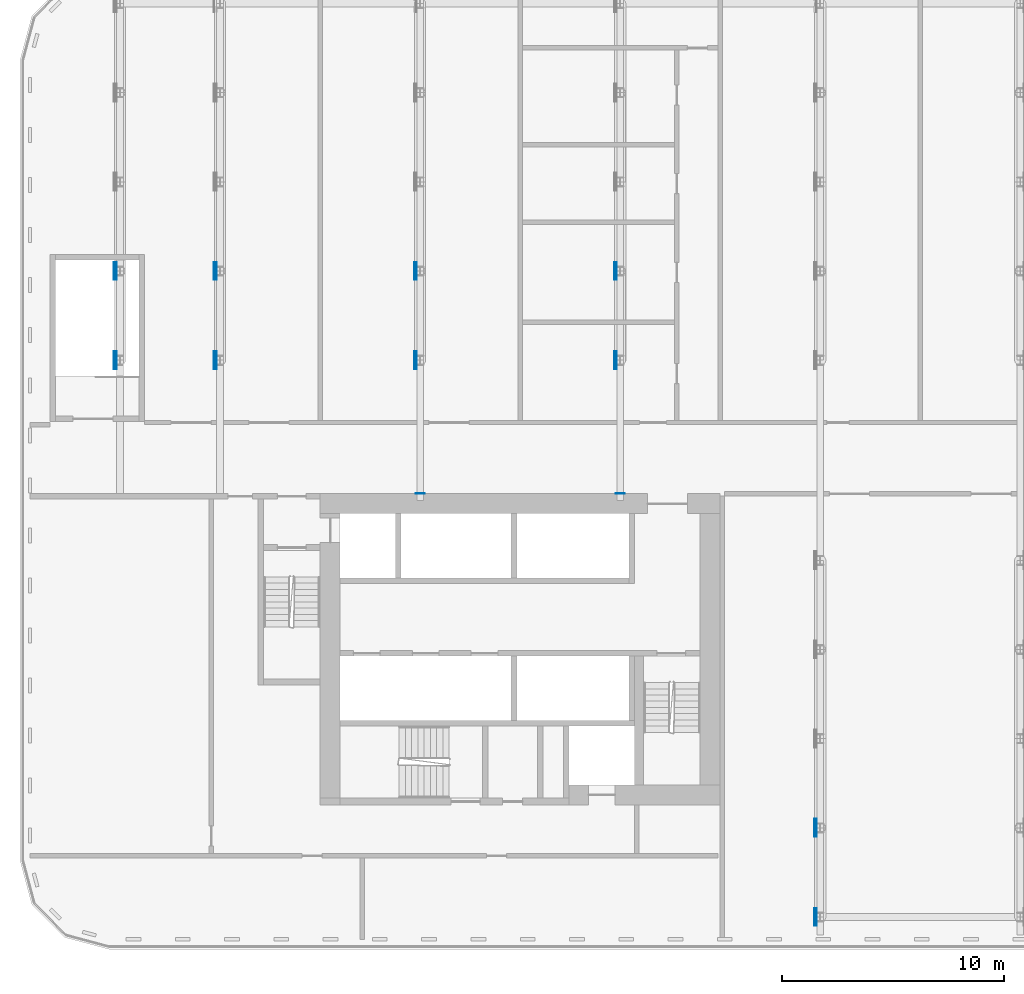
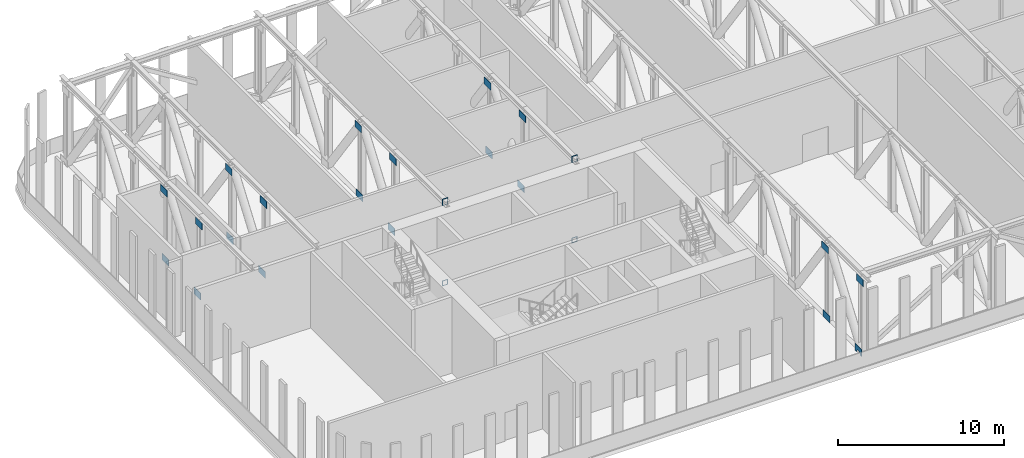
# One storey, part 10 of 26: 24 discrete accessories.
"""IFC4 building model written with IfcOpenShell, lengths in metres."""

from ifc_helpers import new_model, si_unit, direction, frame, origin, place, context, subcontext, project, spatial, polyline, outline, extrude, material, layer, layer_set, type_object, element, save


model = new_model("IFC4")

# Units and contexts
model_context = context("Model", 3, precision=1e-05, world=origin(), true_north=direction((0.0, 1.0)))
body_context = subcontext(model_context, "Body", "Model", "MODEL_VIEW")
ifc_project = project(units=[si_unit("LENGTHUNIT", "METRE"), si_unit("AREAUNIT", "SQUARE_METRE"), si_unit("VOLUMEUNIT", "CUBIC_METRE"), si_unit("PLANEANGLEUNIT", "RADIAN"), si_unit("MASSUNIT", "GRAM", prefix="KILO")], contexts=[model_context])

# Site, building, storey
site_placement = place(None, origin())
site = spatial("IfcSite", under=ifc_project, at=site_placement, CompositionType="ELEMENT")
building_placement = place(site_placement, origin())
building = spatial("IfcBuilding", under=site, at=building_placement, Name="Kajstack Hotel Tower", CompositionType="ELEMENT")
storey_placement = place(building_placement, frame((0.0, 0.0, 47.0)))
storey = spatial("IfcBuildingStorey", under=building, at=storey_placement, Name="L07", CompositionType="ELEMENT", Elevation=47.0)

# Discrete accessories
ifc_material = material(Name="Steel S355J2", Category="steel")
ifc_layer_1 = layer(ifc_material, 0.02490234375)
ifc_layer_set_1 = layer_set([ifc_layer_1], Name="CAST-IN PLATE")
discrete_accessory_type_1 = type_object("IfcDiscreteAccessoryType", Name="CAST-IN PLATE", PredefinedType="BRACKET", material=ifc_layer_set_1)
discrete_accessory_1_placement = place(storey_placement, frame((-18.0, -1.5, -0.14990234375), z_axis=(0.0, 1.0, 0.0), x_axis=(-1.0, 0.0, 0.0)))
element("IfcDiscreteAccessory", 1, at=discrete_accessory_1_placement, inside=storey, type_object=discrete_accessory_type_1, Name="Cast-in plate L07-003", PredefinedType="BRACKET", context=body_context, shape_type="SweptSolid", body=[
    extrude(outline(polyline([(-0.199951171875, -0.199951171875), (0.199951171875, -0.199951171875), (0.199951171875, 0.199951171875), (-0.199951171875, 0.199951171875), (-0.199951171875, -0.199951171875)]), holes=[polyline([(-0.14990234375, -0.14990234375), (-0.14990234375, 0.14990234375), (0.14990234375, 0.14990234375), (0.14990234375, -0.14990234375), (-0.14990234375, -0.14990234375)])]), origin(), (0.0, 0.0, 1.0), 0.02490234375),
])
discrete_accessory_2_placement = place(storey_placement, frame((-18.0, -1.5, 5.800048828125), z_axis=(0.0, 1.0, 0.0), x_axis=(-1.0, 0.0, 0.0)))
element("IfcDiscreteAccessory", 2, at=discrete_accessory_2_placement, inside=storey, type_object=discrete_accessory_type_1, Name="Cast-in plate L07-004", PredefinedType="BRACKET", context=body_context, shape_type="SweptSolid", body=[
    extrude(outline(polyline([(-0.199951171875, -0.25), (0.199951171875, -0.25), (0.199951171875, 0.25), (-0.199951171875, 0.25), (-0.199951171875, -0.25)]), holes=[polyline([(-0.14990234375, -0.199951171875), (-0.14990234375, 0.199951171875), (0.14990234375, 0.199951171875), (0.14990234375, -0.199951171875), (-0.14990234375, -0.199951171875)])]), origin(), (0.0, 0.0, 1.0), 0.02490234375),
])
discrete_accessory_3_placement = place(storey_placement, frame((-27.0, -1.5, -0.14990234375), z_axis=(0.0, 1.0, 0.0), x_axis=(-1.0, 0.0, 0.0)))
element("IfcDiscreteAccessory", 3, at=discrete_accessory_3_placement, inside=storey, type_object=discrete_accessory_type_1, Name="Cast-in plate L07-005", PredefinedType="BRACKET", context=body_context, shape_type="SweptSolid", body=[
    extrude(outline(polyline([(-0.199951171875, -0.199951171875), (0.199951171875, -0.199951171875), (0.199951171875, 0.199951171875), (-0.199951171875, 0.199951171875), (-0.199951171875, -0.199951171875)]), holes=[polyline([(-0.14990234375, -0.14990234375), (-0.14990234375, 0.14990234375), (0.14990234375, 0.14990234375), (0.14990234375, -0.14990234375), (-0.14990234375, -0.14990234375)])]), origin(), (0.0, 0.0, 1.0), 0.02490234375),
])
discrete_accessory_4_placement = place(storey_placement, frame((-27.0, -1.5, 5.800048828125), z_axis=(0.0, 1.0, 0.0), x_axis=(-1.0, 0.0, 0.0)))
element("IfcDiscreteAccessory", 4, at=discrete_accessory_4_placement, inside=storey, type_object=discrete_accessory_type_1, Name="Cast-in plate L07-006", PredefinedType="BRACKET", context=body_context, shape_type="SweptSolid", body=[
    extrude(outline(polyline([(-0.199951171875, -0.25), (0.199951171875, -0.25), (0.199951171875, 0.25), (-0.199951171875, 0.25), (-0.199951171875, -0.25)]), holes=[polyline([(-0.14990234375, -0.199951171875), (-0.14990234375, 0.199951171875), (0.14990234375, 0.199951171875), (0.14990234375, -0.199951171875), (-0.14990234375, -0.199951171875)])]), origin(), (0.0, 0.0, 1.0), 0.02490234375),
])
ifc_layer_2 = layer(ifc_material, 0.02001953125)
ifc_layer_set_2 = layer_set([ifc_layer_2], Name="GUSSET PLATE")
discrete_accessory_type_2 = type_object("IfcDiscreteAccessoryType", Name="GUSSET PLATE", PredefinedType="BRACKET", material=ifc_layer_set_2)
for number, where, z_axis, x_axis, name in (
    (5, (-40.77392578125, 4.5, 0.0), (1.0, 0.0, 0.0), (0.0, 1.0, 0.0), "Gusset plate L07-001"),
    (6, (-40.673583984375, 4.5, 5.10009765625), (1.0, 0.0, 0.0), (0.0, 1.0, 0.0), "Gusset plate L07-002"),
    (7, (-40.673583984375, 8.512451171875, 0.0), (1.0, 0.0, 0.0), (0.0, 1.0, 0.0), "Gusset plate L07-003"),
    (8, (-40.77392578125, 8.512451171875, 5.10009765625), (1.0, 0.0, 0.0), (0.0, 1.0, 0.0), "Gusset plate L07-004"),
    (9, (-36.27392578125, 4.5, 0.0), (1.0, 0.0, 0.0), (0.0, 1.0, 0.0), "Gusset plate L07-011"),
    (10, (-36.173583984375, 4.5, 5.10009765625), (1.0, 0.0, 0.0), (0.0, 1.0, 0.0), "Gusset plate L07-012"),
    (11, (-36.173583984375, 8.512451171875, 0.0), (1.0, 0.0, 0.0), (0.0, 1.0, 0.0), "Gusset plate L07-013"),
    (12, (-36.27392578125, 8.512451171875, 5.10009765625), (1.0, 0.0, 0.0), (0.0, 1.0, 0.0), "Gusset plate L07-014"),
    (13, (-27.27392578125, 4.5, 0.0), (1.0, 0.0, 0.0), (0.0, 1.0, 0.0), "Gusset plate L07-022"),
    (14, (-27.173583984375, 4.5, 5.10009765625), (1.0, 0.0, 0.0), (0.0, 1.0, 0.0), "Gusset plate L07-023"),
    (15, (-27.173583984375, 8.512451171875, 0.0), (1.0, 0.0, 0.0), (0.0, 1.0, 0.0), "Gusset plate L07-024"),
    (16, (-27.27392578125, 8.512451171875, 5.10009765625), (1.0, 0.0, 0.0), (0.0, 1.0, 0.0), "Gusset plate L07-025"),
    (17, (-18.27392578125, 4.5, 0.0), (1.0, 0.0, 0.0), (0.0, 1.0, 0.0), "Gusset plate L07-033"),
    (18, (-18.173583984375, 4.5, 5.10009765625), (1.0, 0.0, 0.0), (0.0, 1.0, 0.0), "Gusset plate L07-034"),
    (19, (-18.173583984375, 8.512451171875, 0.0), (1.0, 0.0, 0.0), (0.0, 1.0, 0.0), "Gusset plate L07-035"),
    (20, (-18.27392578125, 8.512451171875, 5.10009765625), (1.0, 0.0, 0.0), (0.0, 1.0, 0.0), "Gusset plate L07-036"),
):
    element("IfcDiscreteAccessory", number, at=place(storey_placement, frame(where, z_axis=z_axis, x_axis=x_axis)), inside=storey, type_object=discrete_accessory_type_2, Name=name, PredefinedType="BRACKET", context=body_context, shape_type="SweptSolid", body=[
        extrude(outline(polyline([(-0.39990234375, 0.0), (0.39990234375, 0.0), (0.39990234375, 0.5), (-0.39990234375, 0.5), (-0.39990234375, 0.0)])), origin(), (0.0, 0.0, 1.0), 0.02001953125),
    ])
discrete_accessory_5_placement = place(storey_placement, frame((-9.27392578125, -20.550048828125, 0.0), z_axis=(1.0, 0.0, 0.0), x_axis=(0.0, 1.0, 0.0)))
element("IfcDiscreteAccessory", 21, at=discrete_accessory_5_placement, inside=storey, type_object=discrete_accessory_type_2, Name="Gusset plate L07-043", PredefinedType="BRACKET", context=body_context, shape_type="SweptSolid", body=[
    extrude(outline(polyline([(-0.39990234375, 0.0), (-0.22119140625, 0.0), (-0.2177734375, 0.025390625), (-0.212646484375, 0.04638671875), (-0.205322265625, 0.06689453125), (-0.19580078125, 0.086669921875), (-0.184814453125, 0.10546875), (-0.171630859375, 0.122802734375), (-0.156982421875, 0.138916015625), (-0.140869140625, 0.153564453125), (-0.12353515625, 0.166748046875), (-0.104736328125, 0.177978515625), (-0.0849609375, 0.187255859375), (-0.064453125, 0.194580078125), (-0.04345703125, 0.199951171875), (-0.021728515625, 0.203125), (0.0, 0.2041015625), (0.021728515625, 0.203125), (0.04345703125, 0.199951171875), (0.064453125, 0.194580078125), (0.0849609375, 0.187255859375), (0.104736328125, 0.177978515625), (0.12353515625, 0.166748046875), (0.140869140625, 0.153564453125), (0.156982421875, 0.138916015625), (0.171630859375, 0.122802734375), (0.184814453125, 0.10546875), (0.19580078125, 0.086669921875), (0.205322265625, 0.06689453125), (0.212646484375, 0.04638671875), (0.2177734375, 0.025390625), (0.22119140625, 0.0), (0.39990234375, 0.0), (0.39990234375, 0.5), (-0.39990234375, 0.5), (-0.39990234375, 0.0)])), origin(), (0.0, 0.0, 1.0), 0.02001953125),
])
for number, where, z_axis, x_axis, name in (
    (22, (-9.173583984375, -20.550048828125, 5.10009765625), (1.0, 0.0, 0.0), (0.0, 1.0, 0.0), "Gusset plate L07-044"),
    (23, (-9.173583984375, -16.53759765625, 0.0), (1.0, 0.0, 0.0), (0.0, 1.0, 0.0), "Gusset plate L07-045"),
    (24, (-9.27392578125, -16.53759765625, 5.10009765625), (1.0, 0.0, 0.0), (0.0, 1.0, 0.0), "Gusset plate L07-046"),
):
    element("IfcDiscreteAccessory", number, at=place(storey_placement, frame(where, z_axis=z_axis, x_axis=x_axis)), inside=storey, type_object=discrete_accessory_type_2, Name=name, PredefinedType="BRACKET", context=body_context, shape_type="SweptSolid", body=[
        extrude(outline(polyline([(-0.39990234375, 0.0), (0.39990234375, 0.0), (0.39990234375, 0.5), (-0.39990234375, 0.5), (-0.39990234375, 0.0)])), origin(), (0.0, 0.0, 1.0), 0.02001953125),
    ])

save(model, "model.ifc")
